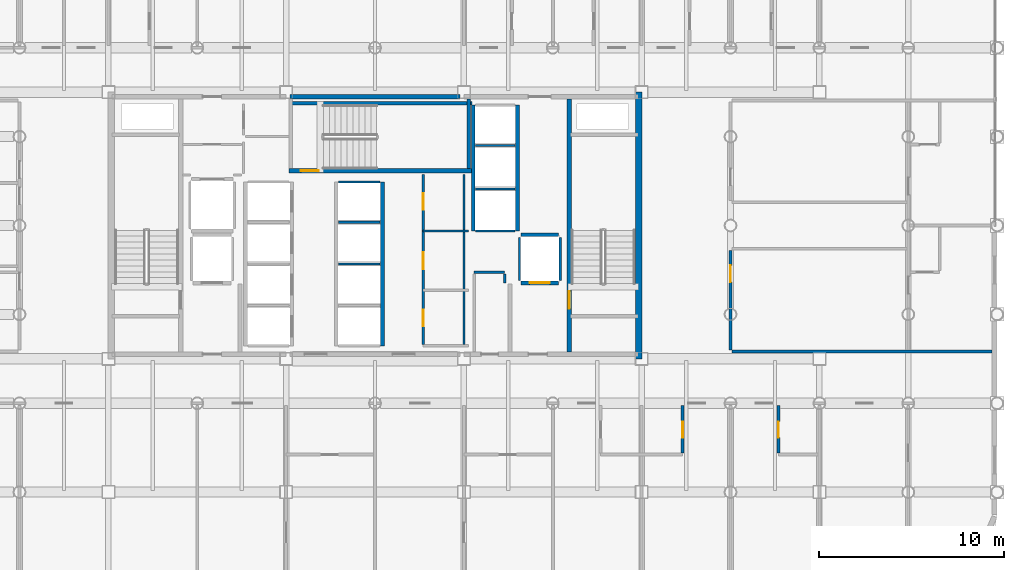
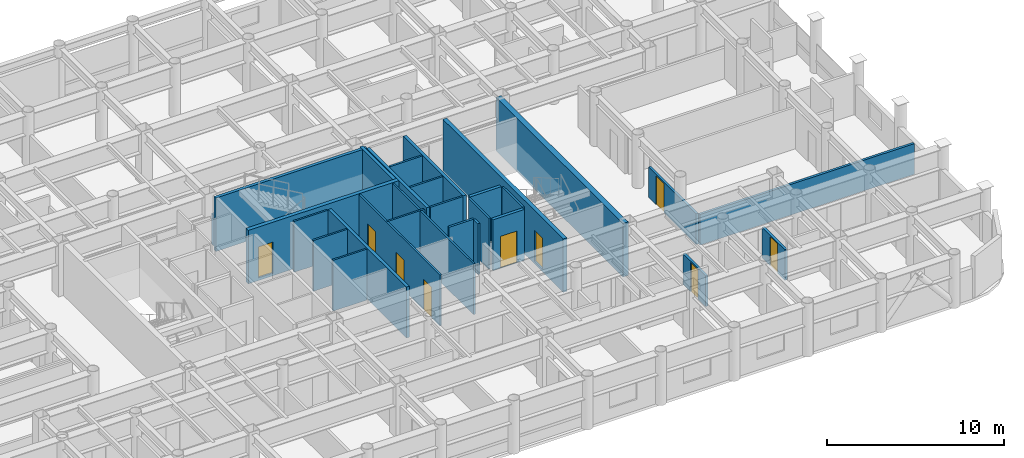
# One storey, part 20 of 23: 28 walls, 9 doors, 9 openings.
"""IFC4 building model written with IfcOpenShell, lengths in metres."""

from ifc_helpers import new_model, si_unit, direction, frame, frame_2d, origin, place, context, subcontext, project, spatial, rectangle, extrude, material, layer, layer_set, type_object, element, fill, save


model = new_model("IFC4")

# Units and contexts
model_context = context("Model", 3, precision=1e-05, world=origin(), true_north=direction((0.0, 1.0)))
body_context = subcontext(model_context, "Body", "Model", "MODEL_VIEW")
ifc_project = project(units=[si_unit("LENGTHUNIT", "METRE"), si_unit("AREAUNIT", "SQUARE_METRE"), si_unit("VOLUMEUNIT", "CUBIC_METRE"), si_unit("PLANEANGLEUNIT", "RADIAN"), si_unit("MASSUNIT", "GRAM", prefix="KILO")], contexts=[model_context])

# Site, building, storey
site_placement = place(None, origin())
site = spatial("IfcSite", under=ifc_project, at=site_placement, CompositionType="ELEMENT")
building_placement = place(site_placement, origin())
building = spatial("IfcBuilding", under=site, at=building_placement, Name="Kallvorn Hotel Tower", CompositionType="ELEMENT")
storey_placement = place(building_placement, frame((0.0, 0.0, 121.10009765625)))
storey = spatial("IfcBuildingStorey", under=building, at=storey_placement, Name="L29", CompositionType="ELEMENT", Elevation=121.10009765625)

# Walls
ifc_material_1 = material(Name="Concrete C50/60", Category="concrete")
ifc_layer_1 = layer(ifc_material_1, 0.35009765625)
ifc_layer_set_1 = layer_set([ifc_layer_1], Name="WL_CORE_350")
wall_type_1 = type_object("IfcWallType", Name="WL_CORE_350", PredefinedType="SHEAR", material=ifc_layer_set_1)
wall_1_placement = place(storey_placement, frame((14.239990234375, -7.199951171875, -0.18017578125), z_axis=(0.0, 0.0, 1.0), x_axis=(0.0, 1.0, 0.0)))
element("IfcWall", 1, at=wall_1_placement, inside=storey, type_object=wall_type_1, Name="L29 Core East Shear Wall", PredefinedType="SHEAR", context=body_context, shape_type="SweptSolid", body=[
    extrude(rectangle(XDim=14.39990234375, YDim=0.35009765625, at=frame_2d((7.199951171875, 0.0))), origin(), (0.0, 0.0, 1.0), 3.7001953125),
])
ifc_material_2 = material(Name="Fire-rated double-layer acoustic gypsum drywall EI 60")
ifc_layer_2 = layer(ifc_material_2, 0.159912109375)
ifc_layer_set_2 = layer_set([ifc_layer_2], Name="WL_DEMISE_160")
wall_type_2 = type_object("IfcWallType", Name="WL_DEMISE_160", PredefinedType="PARTITIONING", material=ifc_layer_set_2)
wall_2_placement = place(storey_placement, frame((19.280029296875, -6.800048828125, 0.0), z_axis=(0.0, 0.0, 1.0), x_axis=(1.0, 0.0, 0.0)))
element("IfcWall", 2, at=wall_2_placement, inside=storey, type_object=wall_type_2, Name="L29 Suite 2901 E Loggia King Room Partition", PredefinedType="PARTITIONING", context=body_context, shape_type="SweptSolid", body=[
    extrude(rectangle(XDim=14.030029296875, YDim=0.159912109375, at=frame_2d((7.01513671875, 0.0))), origin(), (0.0, 0.0, 1.0), 2.119873046875),
])

# Wall, opening, door
wall_3_placement = place(storey_placement, frame((16.610107421875, -12.294921875, 0.0), z_axis=(0.0, 0.0, 1.0), x_axis=(0.0, 1.0, 0.0)))
wall_3 = element("IfcWall", 3, at=wall_3_placement, inside=storey, type_object=wall_type_2, Name="L29 Suite 2906 Deluxe King Room Partition", PredefinedType="PARTITIONING", context=body_context, shape_type="SweptSolid", body=[
    extrude(rectangle(XDim=2.574951171875, YDim=0.159912109375, at=frame_2d((1.28759765625, 0.0))), origin(), (0.0, 0.0, 1.0), 2.119873046875),
])
opening_1_placement = place(wall_3_placement, frame((0.844970703125, 0.0, 0.0)))
opening_1 = element("IfcOpeningElement", 4, at=opening_1_placement, cuts=wall_3, Name="Opening BD-IA", PredefinedType="OPENING", context=body_context, shape_type="SweptSolid", body=[
    extrude(rectangle(XDim=0.860107421875, YDim=2.02001953125, at=frame_2d((0.43017578125, 1.010009765625))), frame((0.0, 0.094970703125, 0.0), z_axis=(0.0, -1.0, 0.0), x_axis=(1.0, 0.0, 0.0)), (0.0, 0.0, 1.0), 0.18994140625),
])
ifc_material_3 = material(Name="Solid-core walnut veneer fire-rated timber door leaf", Category="wood")
door_type_1 = type_object("IfcDoorType", Name="DR_BATH_860x2020", OperationType="NOTDEFINED", PredefinedType="DOOR", material=ifc_material_3)
door_1_placement = place(opening_1_placement, origin())
door_1 = element("IfcDoor", 5, at=door_1_placement, inside=storey, type_object=door_type_1, Name="L29 Suite 2906 En-Suite Bathroom Door", OperationType="SINGLE_SWING_LEFT", OverallHeight=2.02001953125, OverallWidth=0.860107421875, PredefinedType="DOOR", context=body_context, shape_type="SweptSolid", body=[
    extrude(rectangle(XDim=0.860107421875, YDim=2.02001953125, at=frame_2d((0.43017578125, 1.010009765625))), frame((0.0, 0.02490234375, 0.0), z_axis=(0.0, -1.0, 0.0), x_axis=(1.0, 0.0, 0.0)), (0.0, 0.0, 1.0), 0.050048828125),
])
fill(opening_1, door_1)

wall_4_placement = place(storey_placement, frame((21.7900390625, -12.294921875, 0.0), z_axis=(0.0, 0.0, 1.0), x_axis=(0.0, 1.0, 0.0)))
wall_4 = element("IfcWall", 6, at=wall_4_placement, inside=storey, type_object=wall_type_2, Name="L29 Suite 2907 Deluxe King Room Partition", PredefinedType="PARTITIONING", context=body_context, shape_type="SweptSolid", body=[
    extrude(rectangle(XDim=2.574951171875, YDim=0.159912109375, at=frame_2d((1.28759765625, 0.0))), origin(), (0.0, 0.0, 1.0), 2.119873046875),
])
opening_2_placement = place(wall_4_placement, frame((0.844970703125, 0.0, 0.0)))
opening_2 = element("IfcOpeningElement", 7, at=opening_2_placement, cuts=wall_4, Name="Opening BD-IA", PredefinedType="OPENING", context=body_context, shape_type="SweptSolid", body=[
    extrude(rectangle(XDim=0.860107421875, YDim=2.02001953125, at=frame_2d((0.43017578125, 1.010009765625))), frame((0.0, 0.094970703125, 0.0), z_axis=(0.0, -1.0, 0.0), x_axis=(1.0, 0.0, 0.0)), (0.0, 0.0, 1.0), 0.18994140625),
])
door_2_placement = place(opening_2_placement, origin())
door_2 = element("IfcDoor", 8, at=door_2_placement, inside=storey, type_object=door_type_1, Name="L29 Suite 2907 En-Suite Bathroom Door", OperationType="SINGLE_SWING_LEFT", OverallHeight=2.02001953125, OverallWidth=0.860107421875, PredefinedType="DOOR", context=body_context, shape_type="SweptSolid", body=[
    extrude(rectangle(XDim=0.860107421875, YDim=2.02001953125, at=frame_2d((0.43017578125, 1.010009765625))), frame((0.0, 0.02490234375, 0.0), z_axis=(0.0, -1.0, 0.0), x_axis=(1.0, 0.0, 0.0)), (0.0, 0.0, 1.0), 0.050048828125),
])
fill(opening_2, door_2)

# Walls
ifc_material_4 = material(Name="Concrete C40/50", Category="concrete")
ifc_layer_3 = layer(ifc_material_4, 0.199951171875)
ifc_layer_set_3 = layer_set([ifc_layer_3], Name="WL_HOIST_200")
wall_type_3 = type_object("IfcWallType", Name="WL_HOIST_200", PredefinedType="SOLIDWALL", material=ifc_layer_set_3)
wall_5_placement = place(storey_placement, frame((-4.64990234375, 6.610107421875, -0.18017578125), z_axis=(0.0, 0.0, 1.0), x_axis=(1.0, 0.0, 0.0)))
element("IfcWall", 9, at=wall_5_placement, inside=storey, type_object=wall_type_3, Name="L29 Stair ST3 Shaft North Wall", PredefinedType="SOLIDWALL", context=body_context, shape_type="SweptSolid", body=[
    extrude(rectangle(XDim=9.89990234375, YDim=0.199951171875, at=frame_2d((4.949951171875, 0.0))), origin(), (0.0, 0.0, 1.0), 3.7001953125),
])
wall_6_placement = place(storey_placement, frame((5.06005859375, 3.080078125, -0.18017578125), z_axis=(0.0, 0.0, 1.0), x_axis=(0.0, 1.0, 0.0)))
element("IfcWall", 10, at=wall_6_placement, inside=storey, type_object=wall_type_3, Name="L29 Stair ST3 East Wall", PredefinedType="SOLIDWALL", context=body_context, shape_type="SweptSolid", body=[
    extrude(rectangle(XDim=3.739990234375, YDim=0.199951171875, at=frame_2d((1.8701171875, 0.0))), origin(), (0.0, 0.0, 1.0), 3.7001953125),
])
wall_7_placement = place(storey_placement, frame((0.39990234375, -6.5, 0.0), z_axis=(0.0, 0.0, 1.0), x_axis=(0.0, 1.0, 0.0)))
element("IfcWall", 11, at=wall_7_placement, inside=storey, type_object=wall_type_3, Name="L29 Lift Bank B2 Rear Shaft Wall", PredefinedType="SOLIDWALL", context=body_context, shape_type="SweptSolid", body=[
    extrude(rectangle(XDim=8.85009765625, YDim=0.199951171875, at=frame_2d((4.425048828125, 0.0))), origin(), (0.0, 0.0, 1.0), 3.52001953125),
])
for number, where, z_axis, x_axis, name in (
    (12, (7.699951171875, -0.300048828125, 0.0), (0.0, 0.0, 1.0), (0.0, 1.0, 0.0), "L29 Lift Bank OBS Landing Wall"),
    (13, (5.300048828125, -0.300048828125, 0.0), (0.0, 0.0, 1.0), (0.0, 1.0, 0.0), "L29 Lift Bank OBS Rear Shaft Wall"),
):
    element("IfcWall", number, at=place(storey_placement, frame(where, z_axis=z_axis, x_axis=x_axis)), inside=storey, type_object=wall_type_3, Name=name, PredefinedType="SOLIDWALL", context=body_context, shape_type="SweptSolid", body=[
        extrude(rectangle(XDim=6.800048828125, YDim=0.199951171875, at=frame_2d((3.39990234375, 0.0))), origin(), (0.0, 0.0, 1.0), 3.52001953125),
    ])

# Wall, opening, door
wall_8_placement = place(storey_placement, frame((7.8798828125, -3.10009765625, 0.0), z_axis=(0.0, 0.0, 1.0), x_axis=(1.0, 0.0, 0.0)))
wall_8 = element("IfcWall", 14, at=wall_8_placement, inside=storey, type_object=wall_type_3, Name="L29 FL-2 Landing Wall", PredefinedType="SOLIDWALL", context=body_context, shape_type="SweptSolid", body=[
    extrude(rectangle(XDim=2.0400390625, YDim=0.199951171875, at=frame_2d((1.02001953125, 0.0))), origin(), (0.0, 0.0, 1.0), 3.52001953125),
])
opening_3_placement = place(wall_8_placement, frame((0.469970703125, 0.0, 0.0)))
opening_3 = element("IfcOpeningElement", 15, at=opening_3_placement, cuts=wall_8, Name="Opening LD-FL-2", PredefinedType="OPENING", context=body_context, shape_type="SweptSolid", body=[
    extrude(rectangle(XDim=1.10009765625, YDim=2.199951171875, at=frame_2d((0.550048828125, 1.10009765625))), frame((0.0, 0.114990234375, 0.0), z_axis=(0.0, -1.0, 0.0), x_axis=(1.0, 0.0, 0.0)), (0.0, 0.0, 1.0), 0.22998046875),
])
ifc_material_5 = material(Name="Brushed stainless-steel automatic sliding lift landing door", Category="steel")
door_type_2 = type_object("IfcDoorType", Name="LD_PASS_1100x2200", OperationType="SLIDING_TO_LEFT", PredefinedType="DOOR", material=ifc_material_5)
door_3_placement = place(opening_3_placement, origin())
door_3 = element("IfcDoor", 16, at=door_3_placement, inside=storey, type_object=door_type_2, Name="L29 Lift Landing Sliding Door LD-FL-2", OperationType="SLIDING_TO_LEFT", OverallHeight=2.199951171875, OverallWidth=1.10009765625, PredefinedType="DOOR", context=body_context, shape_type="SweptSolid", body=[
    extrude(rectangle(XDim=1.10009765625, YDim=2.199951171875, at=frame_2d((0.550048828125, 1.10009765625))), frame((0.0, 0.02490234375, 0.0), z_axis=(0.0, -1.0, 0.0), x_axis=(1.0, 0.0, 0.0)), (0.0, 0.0, 1.0), 0.050048828125),
])
fill(opening_3, door_3)

# Walls
wall_9_placement = place(storey_placement, frame((7.8798828125, -0.5, 0.0), z_axis=(0.0, 0.0, 1.0), x_axis=(1.0, 0.0, 0.0)))
element("IfcWall", 17, at=wall_9_placement, inside=storey, type_object=wall_type_3, Name="L29 FL-2 Rear Shaft Wall", PredefinedType="SOLIDWALL", context=body_context, shape_type="SweptSolid", body=[
    extrude(rectangle(XDim=2.0400390625, YDim=0.199951171875, at=frame_2d((1.02001953125, 0.0))), origin(), (0.0, 0.0, 1.0), 3.52001953125),
])
ifc_material_6 = material(Name="Fire-rated double-layer acoustic gypsum drywall EI 60")
ifc_layer_4 = layer(ifc_material_6, 0.1201171875)
ifc_layer_set_4 = layer_set([ifc_layer_4], Name="WL_INT_120")
wall_type_4 = type_object("IfcWallType", Name="WL_INT_120", PredefinedType="PARTITIONING", material=ifc_layer_set_4)
for number, where, z_axis, x_axis, name in (
    (18, (-1.9599609375, -2.074951171875, 0.0), (0.0, 0.0, 1.0), (1.0, 0.0, 0.0), "L29 PL-06 Hoistway Divider"),
    (19, (-1.9599609375, 0.175048828125, 0.0), (0.0, 0.0, 1.0), (1.0, 0.0, 0.0), "L29 PL-07 Hoistway Divider"),
    (20, (-1.9599609375, 2.35009765625, 0.0), (0.0, 0.0, 1.0), (1.0, 0.0, 0.0), "L29 PL-08 Hoistway Divider"),
):
    element("IfcWall", number, at=place(storey_placement, frame(where, z_axis=z_axis, x_axis=x_axis)), inside=storey, type_object=wall_type_4, Name=name, PredefinedType="PARTITIONING", context=body_context, shape_type="SweptSolid", body=[
        extrude(rectangle(XDim=2.219970703125, YDim=0.1201171875, at=frame_2d((1.10986328125, 0.0))), origin(), (0.0, 0.0, 1.0), 3.52001953125),
    ])
for number, where, z_axis, x_axis, name in (
    (21, (5.43994140625, -0.300048828125, 0.0), (0.0, 0.0, 1.0), (1.0, 0.0, 0.0), "L29 Lift Bank OBS South Closure Wall"),
    (22, (5.43994140625, 1.97509765625, 0.0), (0.0, 0.0, 1.0), (1.0, 0.0, 0.0), "L29 OB-01 Hoistway Divider"),
    (23, (5.43994140625, 4.324951171875, 0.0), (0.0, 0.0, 1.0), (1.0, 0.0, 0.0), "L29 OB-02 Hoistway Divider"),
):
    element("IfcWall", number, at=place(storey_placement, frame(where, z_axis=z_axis, x_axis=x_axis)), inside=storey, type_object=wall_type_4, Name=name, PredefinedType="PARTITIONING", context=body_context, shape_type="SweptSolid", body=[
        extrude(rectangle(XDim=2.1201171875, YDim=0.1201171875, at=frame_2d((1.06005859375, 0.0))), origin(), (0.0, 0.0, 1.0), 3.52001953125),
    ])
for number, where, z_axis, x_axis, name in (
    (24, (7.800048828125, -2.9599609375, 0.0), (0.0, 0.0, 1.0), (0.0, 1.0, 0.0), "L29 FL-2 West Shaft Wall"),
    (25, (10.0, -2.9599609375, 0.0), (0.0, 0.0, 1.0), (0.0, 1.0, 0.0), "L29 FL-2 East Shaft Wall"),
):
    element("IfcWall", number, at=place(storey_placement, frame(where, z_axis=z_axis, x_axis=x_axis)), inside=storey, type_object=wall_type_4, Name=name, PredefinedType="PARTITIONING", context=body_context, shape_type="SweptSolid", body=[
        extrude(rectangle(XDim=2.320068359375, YDim=0.1201171875, at=frame_2d((1.16015625, 0.0))), origin(), (0.0, 0.0, 1.0), 3.52001953125),
    ])
wall_10_placement = place(storey_placement, frame((2.60009765625, -0.300048828125, 0.0), z_axis=(0.0, 0.0, 1.0), x_axis=(1.0, 0.0, 0.0)))
element("IfcWall", 26, at=wall_10_placement, inside=storey, type_object=wall_type_4, Name="L29 East Core Cleaners Room Partition", PredefinedType="PARTITIONING", context=body_context, shape_type="SweptSolid", body=[
    extrude(rectangle(XDim=2.449951171875, YDim=0.1201171875, at=frame_2d((1.22509765625, 0.0))), origin(), (0.0, 0.0, 1.0), 3.52001953125),
])

# Wall, openings, doors
wall_11_placement = place(storey_placement, frame((2.60009765625, -6.4150390625, 0.0), z_axis=(0.0, 0.0, 1.0), x_axis=(0.0, 1.0, 0.0)))
wall_11 = element("IfcWall", 27, at=wall_11_placement, inside=storey, type_object=wall_type_4, Name="L29 East Core Minibar Store Partition", PredefinedType="PARTITIONING", context=body_context, shape_type="SweptSolid", body=[
    extrude(rectangle(XDim=9.1650390625, YDim=0.1201171875, at=frame_2d((4.58251953125, 0.0))), origin(), (0.0, 0.0, 1.0), 3.52001953125),
])
opening_4_placement = place(wall_11_placement, frame((0.965087890625, 0.0, 0.0)))
opening_4 = element("IfcOpeningElement", 28, at=opening_4_placement, cuts=wall_11, Name="Opening SVD1", PredefinedType="OPENING", context=body_context, shape_type="SweptSolid", body=[
    extrude(rectangle(XDim=0.89990234375, YDim=2.10009765625, at=frame_2d((0.449951171875, 1.050048828125))), frame((0.0, 0.074951171875, 0.0), z_axis=(0.0, -1.0, 0.0), x_axis=(1.0, 0.0, 0.0)), (0.0, 0.0, 1.0), 0.150146484375),
])
opening_5_placement = place(wall_11_placement, frame((4.06494140625, 0.0, 0.0)))
opening_5 = element("IfcOpeningElement", 29, at=opening_5_placement, cuts=wall_11, Name="Opening SVD1", PredefinedType="OPENING", context=body_context, shape_type="SweptSolid", body=[
    extrude(rectangle(XDim=0.89990234375, YDim=2.10009765625, at=frame_2d((0.449951171875, 1.050048828125))), frame((0.0, 0.074951171875, 0.0), z_axis=(0.0, -1.0, 0.0), x_axis=(1.0, 0.0, 0.0)), (0.0, 0.0, 1.0), 0.150146484375),
])
opening_6_placement = place(wall_11_placement, frame((7.264892578125, 0.0, 0.0)))
opening_6 = element("IfcOpeningElement", 30, at=opening_6_placement, cuts=wall_11, Name="Opening SVD1", PredefinedType="OPENING", context=body_context, shape_type="SweptSolid", body=[
    extrude(rectangle(XDim=0.89990234375, YDim=2.10009765625, at=frame_2d((0.449951171875, 1.050048828125))), frame((0.0, 0.074951171875, 0.0), z_axis=(0.0, -1.0, 0.0), x_axis=(1.0, 0.0, 0.0)), (0.0, 0.0, 1.0), 0.150146484375),
])
ifc_material_7 = material(Name="Galvanised painted steel fire-rated door assembly", Category="steel")
door_type_3 = type_object("IfcDoorType", Name="DR_SERV_900x2100", OperationType="NOTDEFINED", PredefinedType="DOOR", material=ifc_material_7)
door_4_placement = place(opening_4_placement, origin())
door_4 = element("IfcDoor", 31, at=door_4_placement, inside=storey, type_object=door_type_3, Name="L29 East Core Minibar Store Door", OperationType="SINGLE_SWING_RIGHT", OverallHeight=2.10009765625, OverallWidth=0.89990234375, PredefinedType="DOOR", context=body_context, shape_type="SweptSolid", body=[
    extrude(rectangle(XDim=0.89990234375, YDim=2.10009765625, at=frame_2d((0.449951171875, 1.050048828125))), frame((0.0, 0.02490234375, 0.0), z_axis=(0.0, -1.0, 0.0), x_axis=(1.0, 0.0, 0.0)), (0.0, 0.0, 1.0), 0.050048828125),
])
fill(opening_4, door_4)
door_5_placement = place(opening_5_placement, origin())
door_5 = element("IfcDoor", 32, at=door_5_placement, inside=storey, type_object=door_type_3, Name="L29 East Core Housekeeping Supply Closet Door", OperationType="SINGLE_SWING_LEFT", OverallHeight=2.10009765625, OverallWidth=0.89990234375, PredefinedType="DOOR", context=body_context, shape_type="SweptSolid", body=[
    extrude(rectangle(XDim=0.89990234375, YDim=2.10009765625, at=frame_2d((0.449951171875, 1.050048828125))), frame((0.0, 0.02490234375, 0.0), z_axis=(0.0, -1.0, 0.0), x_axis=(1.0, 0.0, 0.0)), (0.0, 0.0, 1.0), 0.050048828125),
])
fill(opening_5, door_5)
door_6_placement = place(opening_6_placement, origin())
door_6 = element("IfcDoor", 33, at=door_6_placement, inside=storey, type_object=door_type_3, Name="L29 East Core Cleaners Room Door", OperationType="SINGLE_SWING_LEFT", OverallHeight=2.10009765625, OverallWidth=0.89990234375, PredefinedType="DOOR", context=body_context, shape_type="SweptSolid", body=[
    extrude(rectangle(XDim=0.89990234375, YDim=2.10009765625, at=frame_2d((0.449951171875, 1.050048828125))), frame((0.0, 0.02490234375, 0.0), z_axis=(0.0, -1.0, 0.0), x_axis=(1.0, 0.0, 0.0)), (0.0, 0.0, 1.0), 0.050048828125),
])
fill(opening_6, door_6)

# Wall
wall_12_placement = place(storey_placement, frame((4.800048828125, -6.4150390625, 0.0), z_axis=(0.0, 0.0, 1.0), x_axis=(0.0, 1.0, 0.0)))
element("IfcWall", 34, at=wall_12_placement, inside=storey, type_object=wall_type_4, Name="L29 East Core Minibar Store Partition", PredefinedType="PARTITIONING", context=body_context, shape_type="SweptSolid", body=[
    extrude(rectangle(XDim=9.1650390625, YDim=0.1201171875, at=frame_2d((4.58251953125, 0.0))), origin(), (0.0, 0.0, 1.0), 3.52001953125),
])

# Wall, opening, door
ifc_material_8 = material(Name="Fire-rated double-layer acoustic gypsum drywall EI 60")
ifc_layer_5 = layer(ifc_material_8, 0.14990234375)
ifc_layer_set_5 = layer_set([ifc_layer_5], Name="WL_PART_150")
wall_type_5 = type_object("IfcWallType", Name="WL_PART_150", PredefinedType="PARTITIONING", material=ifc_layer_set_5)
wall_13_placement = place(storey_placement, frame((19.199951171875, -6.715087890625, 0.0), z_axis=(0.0, 0.0, 1.0), x_axis=(0.0, 1.0, 0.0)))
wall_13 = element("IfcWall", 35, at=wall_13_placement, inside=storey, type_object=wall_type_5, Name="L29 L29 East Inner Club Bar Partition", PredefinedType="PARTITIONING", context=body_context, shape_type="SweptSolid", body=[
    extrude(rectangle(XDim=5.3701171875, YDim=0.14990234375, at=frame_2d((2.68505859375, 0.0))), origin(), (0.0, 0.0, 1.0), 2.119873046875),
])
opening_7_placement = place(wall_13_placement, frame((3.66015625, 0.0, 0.0)))
opening_7 = element("IfcOpeningElement", 36, at=opening_7_placement, cuts=wall_13, Name="Opening SVD1A", PredefinedType="OPENING", context=body_context, shape_type="SweptSolid", body=[
    extrude(rectangle(XDim=0.89990234375, YDim=2.02001953125, at=frame_2d((0.449951171875, 1.010009765625))), frame((0.0, 0.08984375, 0.0), z_axis=(0.0, -1.0, 0.0), x_axis=(1.0, 0.0, 0.0)), (0.0, 0.0, 1.0), 0.179931640625),
])
ifc_material_9 = material(Name="Galvanised painted steel fire-rated door assembly", Category="steel")
door_type_4 = type_object("IfcDoorType", Name="DR_SERV_900x2020", OperationType="NOTDEFINED", PredefinedType="DOOR", material=ifc_material_9)
door_7_placement = place(opening_7_placement, origin())
door_7 = element("IfcDoor", 37, at=door_7_placement, inside=storey, type_object=door_type_4, Name="L29 L29 East Inner Club Bar Door", OperationType="SINGLE_SWING_RIGHT", OverallHeight=2.02001953125, OverallWidth=0.89990234375, PredefinedType="DOOR", context=body_context, shape_type="SweptSolid", body=[
    extrude(rectangle(XDim=0.89990234375, YDim=2.02001953125, at=frame_2d((0.449951171875, 1.010009765625))), frame((0.0, 0.02490234375, 0.0), z_axis=(0.0, -1.0, 0.0), x_axis=(1.0, 0.0, 0.0)), (0.0, 0.0, 1.0), 0.050048828125),
])
fill(opening_7, door_7)

# Walls
ifc_material_10 = material(Name="Moisture-resistant acoustic plumbing chase wall EI 60")
ifc_layer_6 = layer(ifc_material_10, 0.139892578125)
ifc_layer_set_6 = layer_set([ifc_layer_6], Name="WL_PLUMB_140")
wall_type_6 = type_object("IfcWallType", Name="WL_PLUMB_140", PredefinedType="PLUMBINGWALL", material=ifc_layer_set_6)
wall_14_placement = place(storey_placement, frame((5.35009765625, -2.52490234375, 0.0), z_axis=(0.0, 0.0, 1.0), x_axis=(1.0, 0.0, 0.0)))
element("IfcWall", 38, at=wall_14_placement, inside=storey, type_object=wall_type_6, Name="L29 Core Accessible Staff WC Partition", PredefinedType="PLUMBINGWALL", context=body_context, shape_type="SweptSolid", body=[
    extrude(rectangle(XDim=1.64990234375, YDim=0.139892578125, at=frame_2d((0.824951171875, 0.0))), origin(), (0.0, 0.0, 1.0), 3.52001953125),
])
wall_15_placement = place(storey_placement, frame((7.0, -3.110107421875, 0.0), z_axis=(0.0, 0.0, 1.0), x_axis=(0.0, 1.0, 0.0)))
element("IfcWall", 39, at=wall_15_placement, inside=storey, type_object=wall_type_6, Name="L29 Core Accessible Staff WC Partition", PredefinedType="PLUMBINGWALL", context=body_context, shape_type="SweptSolid", body=[
    extrude(rectangle(XDim=0.5, YDim=0.139892578125, at=frame_2d((0.25, 0.0))), origin(), (0.0, 0.0, 1.0), 3.52001953125),
])
ifc_material_11 = material(Name="Concrete C40/50", Category="concrete")
ifc_layer_7 = layer(ifc_material_11, 0.25)
ifc_layer_set_7 = layer_set([ifc_layer_7], Name="WL_SHAFT_250")
wall_type_7 = type_object("IfcWallType", Name="WL_SHAFT_250", PredefinedType="SOLIDWALL", material=ifc_layer_set_7)
wall_16_placement = place(storey_placement, frame((-4.60009765625, 6.949951171875, 0.0), z_axis=(0.0, 0.0, 1.0), x_axis=(1.0, 0.0, 0.0)))
element("IfcWall", 40, at=wall_16_placement, inside=storey, type_object=wall_type_7, Name="L29 Core North-Central Wall", PredefinedType="SOLIDWALL", context=body_context, shape_type="SweptSolid", body=[
    extrude(rectangle(XDim=9.2001953125, YDim=0.25, at=frame_2d((4.60009765625, 0.0))), origin(), (0.0, 0.0, 1.0), 2.119873046875),
])

# Wall, opening, door
wall_17_placement = place(storey_placement, frame((10.5, -6.820068359375, -0.18017578125), z_axis=(0.0, 0.0, 1.0), x_axis=(0.0, 1.0, 0.0)))
wall_17 = element("IfcWall", 41, at=wall_17_placement, inside=storey, type_object=wall_type_7, Name="L29 Stair ST2 Shaft Wall", PredefinedType="SOLIDWALL", context=body_context, shape_type="SweptSolid", body=[
    extrude(rectangle(XDim=13.64013671875, YDim=0.25, at=frame_2d((6.820068359375, 0.0))), origin(), (0.0, 0.0, 1.0), 3.7001953125),
])
opening_8_placement = place(wall_17_placement, frame((2.320068359375, 0.0, 0.179931640625)))
opening_8 = element("IfcOpeningElement", 42, at=opening_8_placement, cuts=wall_17, Name="Opening SD1", PredefinedType="OPENING", context=body_context, shape_type="SweptSolid", body=[
    extrude(rectangle(XDim=0.949951171875, YDim=2.14990234375, at=frame_2d((0.47509765625, 1.074951171875))), frame((0.0, 0.139892578125, 0.0), z_axis=(0.0, -1.0, 0.0), x_axis=(1.0, 0.0, 0.0)), (0.0, 0.0, 1.0), 0.280029296875),
])
ifc_material_12 = material(Name="Galvanised painted steel fire-rated door assembly", Category="steel")
door_type_5 = type_object("IfcDoorType", Name="DR_STAIR_950x2150", OperationType="NOTDEFINED", PredefinedType="DOOR", material=ifc_material_12)
door_8_placement = place(opening_8_placement, origin())
door_8 = element("IfcDoor", 43, at=door_8_placement, inside=storey, type_object=door_type_5, Name="L29 Exit Stair ST2 Fire Door", OperationType="SINGLE_SWING_LEFT", OverallHeight=2.14990234375, OverallWidth=0.949951171875, PredefinedType="DOOR", context=body_context, shape_type="SweptSolid", body=[
    extrude(rectangle(XDim=0.949951171875, YDim=2.14990234375, at=frame_2d((0.47509765625, 1.074951171875))), frame((0.0, 0.02490234375, 0.0), z_axis=(0.0, -1.0, 0.0), x_axis=(1.0, 0.0, 0.0)), (0.0, 0.0, 1.0), 0.050048828125),
])
fill(opening_8, door_8)

wall_18_placement = place(storey_placement, frame((-4.64990234375, 2.949951171875, -0.18017578125), z_axis=(0.0, 0.0, 1.0), x_axis=(1.0, 0.0, 0.0)))
wall_18 = element("IfcWall", 44, at=wall_18_placement, inside=storey, type_object=wall_type_7, Name="L29 Stair ST3 Shaft South Wall", PredefinedType="SOLIDWALL", context=body_context, shape_type="SweptSolid", body=[
    extrude(rectangle(XDim=9.89990234375, YDim=0.25, at=frame_2d((4.949951171875, 0.0))), origin(), (0.0, 0.0, 1.0), 3.7001953125),
])
opening_9_placement = place(wall_18_placement, frame((0.64990234375, 0.0, 0.179931640625)))
opening_9 = element("IfcOpeningElement", 45, at=opening_9_placement, cuts=wall_18, Name="Opening SD1", PredefinedType="OPENING", context=body_context, shape_type="SweptSolid", body=[
    extrude(rectangle(XDim=0.949951171875, YDim=2.14990234375, at=frame_2d((0.47509765625, 1.074951171875))), frame((0.0, 0.139892578125, 0.0), z_axis=(0.0, -1.0, 0.0), x_axis=(1.0, 0.0, 0.0)), (0.0, 0.0, 1.0), 0.280029296875),
])
door_9_placement = place(opening_9_placement, origin())
door_9 = element("IfcDoor", 46, at=door_9_placement, inside=storey, type_object=door_type_5, Name="L29 Exit Stair ST3 Fire Door", OperationType="SINGLE_SWING_RIGHT", OverallHeight=2.14990234375, OverallWidth=0.949951171875, PredefinedType="DOOR", context=body_context, shape_type="SweptSolid", body=[
    extrude(rectangle(XDim=0.949951171875, YDim=2.14990234375, at=frame_2d((0.47509765625, 1.074951171875))), frame((0.0, 0.02490234375, 0.0), z_axis=(0.0, -1.0, 0.0), x_axis=(1.0, 0.0, 0.0)), (0.0, 0.0, 1.0), 0.050048828125),
])
fill(opening_9, door_9)

save(model, "model.ifc")
